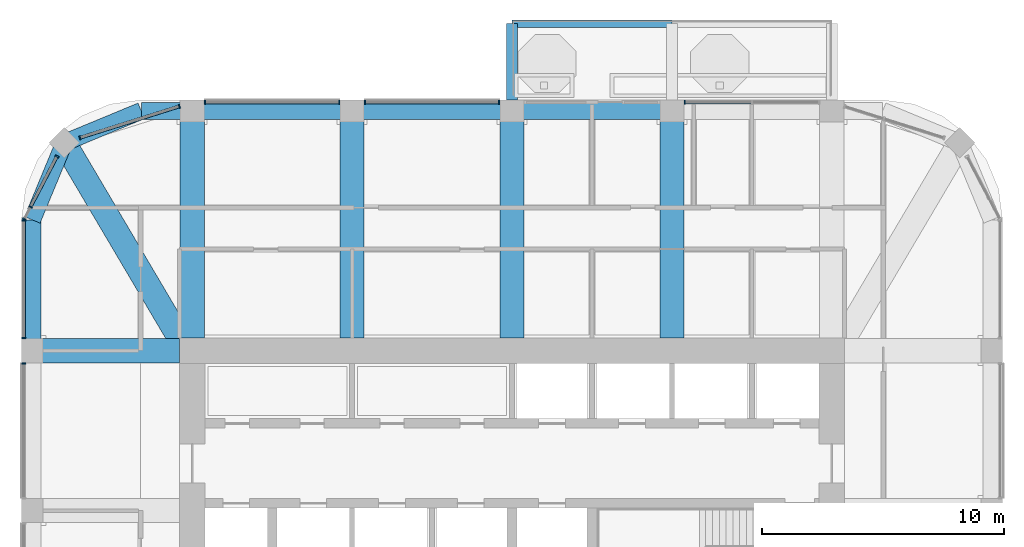
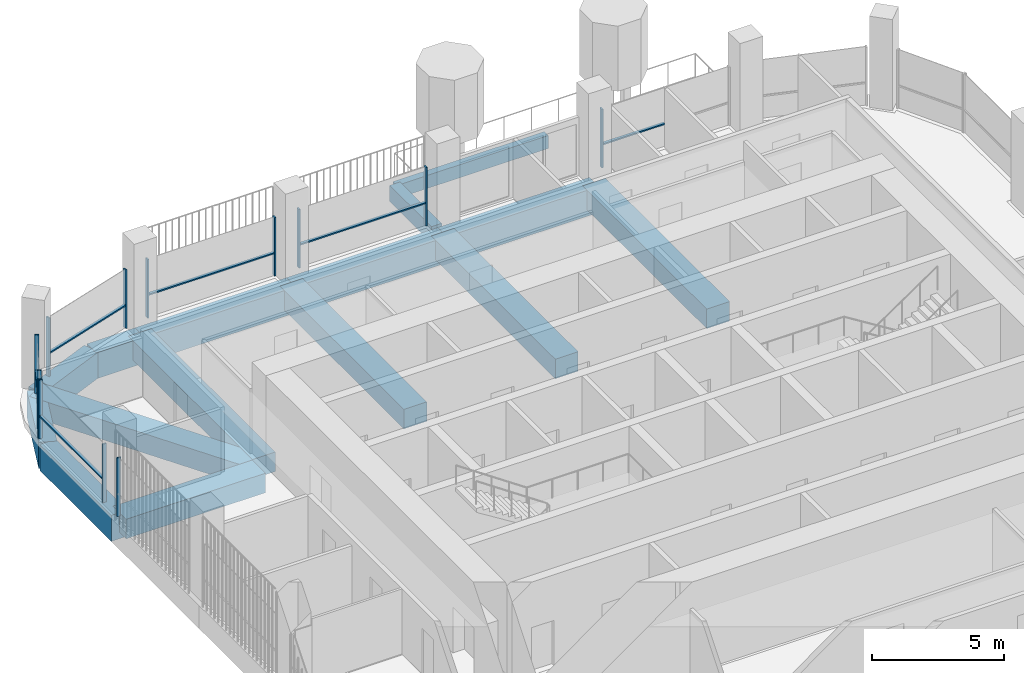
# One storey, part 6 of 21: 19 members, 15 beams, 7 elements without a shape of their own.
"""IFC4 building model written with IfcOpenShell, lengths in metres."""

from ifc_helpers import new_model, si_unit, direction, frame, origin, origin_2d, place, context, subcontext, project, spatial, rectangle, extrude, material, material_profile, profile_set, type_object, element, aggregate, save


model = new_model("IFC4")

# Units and contexts
model_context = context("Model", 3, precision=1e-05, world=origin(), true_north=direction((0.0, 1.0)))
body_context = subcontext(model_context, "Body", "Model", "MODEL_VIEW")
ifc_project = project(units=[si_unit("LENGTHUNIT", "METRE"), si_unit("AREAUNIT", "SQUARE_METRE"), si_unit("VOLUMEUNIT", "CUBIC_METRE"), si_unit("PLANEANGLEUNIT", "RADIAN"), si_unit("MASSUNIT", "GRAM", prefix="KILO")], contexts=[model_context])

# Site, building, storey
site_placement = place(None, origin())
site = spatial("IfcSite", under=ifc_project, at=site_placement, CompositionType="ELEMENT")
building_placement = place(site_placement, origin())
building = spatial("IfcBuilding", under=site, at=building_placement, Name="Cobogo Forest Laboratory Tower", CompositionType="ELEMENT")
storey_placement = place(building_placement, frame((0.0, 0.0, 283.800048828125)))
storey = spatial("IfcBuildingStorey", under=building, at=storey_placement, Name="L65", CompositionType="ELEMENT", Elevation=283.800048828125)

# Beams
ifc_material_1 = material(Name="Concrete HA-40 (C40/50)", Category="concrete")
ifc_material_profile_1 = material_profile(ifc_material_1, rectangle(XDim=0.449951171875, YDim=0.75, at=origin_2d()), Name="RC 450x750")
ifc_profile_set_1 = profile_set([ifc_material_profile_1], Name="Concrete HA-40 (C40/50)")
beam_type_1 = type_object("IfcBeamType", Name="Balcony cantilever beam 450x750", PredefinedType="BEAM", material=ifc_profile_set_1)
beam_1_placement = place(storey_placement, frame((26.39990234375, 43.35009765625, -0.625), z_axis=(0.0, 1.0, 0.0), x_axis=(-1.0, 0.0, 0.0)))
element("IfcBeam", 1, at=beam_1_placement, inside=storey, type_object=beam_type_1, Name="CB1 BAL-N1-C1 L65", PredefinedType="BEAM", context=body_context, shape_type="SweptSolid", body=[
    extrude(rectangle(XDim=0.449951171875, YDim=0.75, at=origin_2d()), origin(), (0.0, 0.0, 1.0), 3.14990234375),
])
ifc_material_profile_2 = material_profile(ifc_material_1, rectangle(XDim=0.300048828125, YDim=0.60009765625, at=origin_2d()), Name="RC 300x600")
ifc_profile_set_2 = profile_set([ifc_material_profile_2], Name="Concrete HA-40 (C40/50)")
beam_type_2 = type_object("IfcBeamType", Name="Balcony edge beam 300x600", PredefinedType="BEAM", material=ifc_profile_set_2)
beam_2_placement = place(storey_placement, frame((26.39990234375, 46.5, -0.550048828125), z_axis=(1.0, 0.0, 0.0), x_axis=(0.0, 1.0, 0.0)))
element("IfcBeam", 2, at=beam_2_placement, inside=storey, type_object=beam_type_2, Name="BB1 BAL-N1-T1 L65", PredefinedType="BEAM", context=body_context, shape_type="SweptSolid", body=[
    extrude(rectangle(XDim=0.300048828125, YDim=0.60009765625, at=origin_2d()), origin(), (0.0, 0.0, 1.0), 6.60009765625),
])

# Curtain wall, member
ifc_material_2 = material(Name="Aluminium curtain wall", Category="aluminium")
curtain_wall_type = type_object("IfcCurtainWallType", Name="CW-2 unitised curtain wall, solar control glazing, laboratory floors zones C and D", PredefinedType="USERDEFINED", material=ifc_material_2)
curtain_wall_1_placement = place(storey_placement, origin())
curtain_wall_1 = element("IfcCurtainWall", 3, at=curtain_wall_1_placement, inside=storey, type_object=curtain_wall_type, Name="Curtain wall 14 L65", ObjectType="UNITISED CURTAIN WALL", PredefinedType="USERDEFINED")
ifc_material_3 = material(Name="Aluminium mullion", Category="aluminium")
ifc_material_profile_3 = material_profile(ifc_material_3, rectangle(XDim=0.06005859375, YDim=0.159912109375, at=origin_2d()), Name="AL 60x160")
ifc_profile_set_3 = profile_set([ifc_material_profile_3], Name="Aluminium mullion")
member_type_1 = type_object("IfcMemberType", Name="MU-1 aluminium mullion 60x160", PredefinedType="MULLION", material=ifc_profile_set_3)
member_1_placement = place(storey_placement, frame((33.530029296875, 43.25, 0.0), z_axis=(0.0, 0.0, 1.0), x_axis=(-1.0, 0.0, 0.0)))
member_1 = element("IfcMember", 4, at=member_1_placement, type_object=member_type_1, Name="CW-2 mullion 3", PredefinedType="MULLION", context=body_context, shape_type="SweptSolid", body=[
    extrude(rectangle(XDim=0.06005859375, YDim=0.159912109375, at=origin_2d()), origin(), (0.0, 0.0, 1.0), 2.699951171875),
])

# Curtain wall, members
curtain_wall_2_placement = place(storey_placement, origin())
curtain_wall_2 = element("IfcCurtainWall", 5, at=curtain_wall_2_placement, inside=storey, type_object=curtain_wall_type, Name="Curtain wall 16 L65", ObjectType="UNITISED CURTAIN WALL", PredefinedType="USERDEFINED")
member_2_placement = place(storey_placement, frame((25.8701171875, 43.25, 0.0), z_axis=(0.0, 0.0, 1.0), x_axis=(-1.0, 0.0, 0.0)))
member_2 = element("IfcMember", 6, at=member_2_placement, type_object=member_type_1, Name="CW-2 mullion 1", PredefinedType="MULLION", context=body_context, shape_type="SweptSolid", body=[
    extrude(rectangle(XDim=0.06005859375, YDim=0.159912109375, at=origin_2d()), origin(), (0.0, 0.0, 1.0), 2.699951171875),
])
member_3_placement = place(storey_placement, frame((20.330078125, 43.25, 0.0), z_axis=(0.0, 0.0, 1.0), x_axis=(-1.0, 0.0, 0.0)))
member_3 = element("IfcMember", 7, at=member_3_placement, type_object=member_type_1, Name="CW-2 mullion 2", PredefinedType="MULLION", context=body_context, shape_type="SweptSolid", body=[
    extrude(rectangle(XDim=0.06005859375, YDim=0.159912109375, at=origin_2d()), origin(), (0.0, 0.0, 1.0), 2.699951171875),
])

curtain_wall_3_placement = place(storey_placement, origin())
curtain_wall_3 = element("IfcCurtainWall", 8, at=curtain_wall_3_placement, inside=storey, type_object=curtain_wall_type, Name="Curtain wall 17 L65", ObjectType="UNITISED CURTAIN WALL", PredefinedType="USERDEFINED")
member_4_placement = place(storey_placement, frame((19.27001953125, 43.25, 0.0), z_axis=(0.0, 0.0, 1.0), x_axis=(-1.0, 0.0, 0.0)))
member_4 = element("IfcMember", 9, at=member_4_placement, type_object=member_type_1, Name="CW-2 mullion 1", PredefinedType="MULLION", context=body_context, shape_type="SweptSolid", body=[
    extrude(rectangle(XDim=0.06005859375, YDim=0.159912109375, at=origin_2d()), origin(), (0.0, 0.0, 1.0), 2.699951171875),
])
member_5_placement = place(storey_placement, frame((13.72998046875, 43.25, 0.0), z_axis=(0.0, 0.0, 1.0), x_axis=(-1.0, 0.0, 0.0)))
member_5 = element("IfcMember", 10, at=member_5_placement, type_object=member_type_1, Name="CW-2 mullion 2", PredefinedType="MULLION", context=body_context, shape_type="SweptSolid", body=[
    extrude(rectangle(XDim=0.06005859375, YDim=0.159912109375, at=origin_2d()), origin(), (0.0, 0.0, 1.0), 2.699951171875),
])

curtain_wall_4_placement = place(storey_placement, origin())
curtain_wall_4 = element("IfcCurtainWall", 11, at=curtain_wall_4_placement, inside=storey, type_object=curtain_wall_type, Name="Curtain wall 18 L65", ObjectType="UNITISED CURTAIN WALL", PredefinedType="USERDEFINED")
member_6_placement = place(storey_placement, frame((12.67138671875, 43.0830078125, 0.0), z_axis=(0.0, 0.0, 1.0), x_axis=(-0.953581379409, -0.301135439371, 0.0)))
member_6 = element("IfcMember", 12, at=member_6_placement, type_object=member_type_1, Name="CW-2 mullion 1", PredefinedType="MULLION", context=body_context, shape_type="SweptSolid", body=[
    extrude(rectangle(XDim=0.06005859375, YDim=0.159912109375, at=origin_2d()), origin(), (0.0, 0.0, 1.0), 2.699951171875),
])
member_7_placement = place(storey_placement, frame((8.570068359375, 41.787841796875, 0.0), z_axis=(0.0, 0.0, 1.0), x_axis=(-0.953581379409, -0.301135439371, 0.0)))
member_7 = element("IfcMember", 13, at=member_7_placement, type_object=member_type_1, Name="CW-2 mullion 2", PredefinedType="MULLION", context=body_context, shape_type="SweptSolid", body=[
    extrude(rectangle(XDim=0.06005859375, YDim=0.159912109375, at=origin_2d()), origin(), (0.0, 0.0, 1.0), 2.699951171875),
])

curtain_wall_5_placement = place(storey_placement, origin())
curtain_wall_5 = element("IfcCurtainWall", 14, at=curtain_wall_5_placement, inside=storey, type_object=curtain_wall_type, Name="Curtain wall 19 L65", ObjectType="UNITISED CURTAIN WALL", PredefinedType="USERDEFINED")
member_8_placement = place(storey_placement, frame((7.6220703125, 41.017333984375, 0.0), z_axis=(0.0, 0.0, 1.0), x_axis=(-0.464283778337, -0.885686498245, 0.0)))
member_8 = element("IfcMember", 15, at=member_8_placement, type_object=member_type_1, Name="CW-2 mullion 1", PredefinedType="MULLION", context=body_context, shape_type="SweptSolid", body=[
    extrude(rectangle(XDim=0.06005859375, YDim=0.159912109375, at=origin_2d()), origin(), (0.0, 0.0, 1.0), 2.699951171875),
])
member_9_placement = place(storey_placement, frame((6.531494140625, 38.937255859375, 0.0), z_axis=(0.0, 0.0, 1.0), x_axis=(-0.464283778337, -0.885686498245, 0.0)))
member_9 = element("IfcMember", 16, at=member_9_placement, type_object=member_type_1, Name="CW-2 mullion 2", PredefinedType="MULLION", context=body_context, shape_type="SweptSolid", body=[
    extrude(rectangle(XDim=0.06005859375, YDim=0.159912109375, at=origin_2d()), origin(), (0.0, 0.0, 1.0), 2.699951171875),
])
member_10_placement = place(storey_placement, frame((6.263916015625, 38.426513671875, 0.0), z_axis=(0.0, 0.0, 1.0), x_axis=(-0.464283778337, -0.885686498245, 0.0)))
member_10 = element("IfcMember", 17, at=member_10_placement, type_object=member_type_1, Name="CW-2 mullion 3", PredefinedType="MULLION", context=body_context, shape_type="SweptSolid", body=[
    extrude(rectangle(XDim=0.06005859375, YDim=0.159912109375, at=origin_2d()), origin(), (0.0, 0.0, 1.0), 2.699951171875),
])

curtain_wall_6_placement = place(storey_placement, origin())
curtain_wall_6 = element("IfcCurtainWall", 18, at=curtain_wall_6_placement, inside=storey, type_object=curtain_wall_type, Name="Curtain wall 20 L65", ObjectType="UNITISED CURTAIN WALL", PredefinedType="USERDEFINED")
member_11_placement = place(storey_placement, frame((6.25, 38.3701171875, 0.0), z_axis=(0.0, 0.0, 1.0), x_axis=(0.0, -1.0, 0.0)))
member_11 = element("IfcMember", 19, at=member_11_placement, type_object=member_type_1, Name="CW-2 mullion 1", PredefinedType="MULLION", context=body_context, shape_type="SweptSolid", body=[
    extrude(rectangle(XDim=0.06005859375, YDim=0.159912109375, at=origin_2d()), origin(), (0.0, 0.0, 1.0), 2.699951171875),
])
member_12_placement = place(storey_placement, frame((6.25, 33.530029296875, 0.0), z_axis=(0.0, 0.0, 1.0), x_axis=(0.0, -1.0, 0.0)))
member_12 = element("IfcMember", 20, at=member_12_placement, type_object=member_type_1, Name="CW-2 mullion 2", PredefinedType="MULLION", context=body_context, shape_type="SweptSolid", body=[
    extrude(rectangle(XDim=0.06005859375, YDim=0.159912109375, at=origin_2d()), origin(), (0.0, 0.0, 1.0), 2.699951171875),
])

# Curtain wall, member
curtain_wall_7_placement = place(storey_placement, origin())
curtain_wall_7 = element("IfcCurtainWall", 21, at=curtain_wall_7_placement, inside=storey, type_object=curtain_wall_type, Name="Curtain wall 21 L65", ObjectType="UNITISED CURTAIN WALL", PredefinedType="USERDEFINED")
member_13_placement = place(storey_placement, frame((6.25, 32.469970703125, 0.0), z_axis=(0.0, 0.0, 1.0), x_axis=(0.0, -1.0, 0.0)))
member_13 = element("IfcMember", 22, at=member_13_placement, type_object=member_type_1, Name="CW-2 mullion 1", PredefinedType="MULLION", context=body_context, shape_type="SweptSolid", body=[
    extrude(rectangle(XDim=0.06005859375, YDim=0.159912109375, at=origin_2d()), origin(), (0.0, 0.0, 1.0), 2.699951171875),
])
aggregate(curtain_wall_7, [member_13])

# Beams
ifc_material_profile_4 = material_profile(ifc_material_1, rectangle(XDim=1.0, YDim=0.89990234375, at=origin_2d()), Name="RC 1000x900")
ifc_profile_set_4 = profile_set([ifc_material_profile_4], Name="Concrete HA-40 (C40/50)")
beam_type_3 = type_object("IfcBeamType", Name="Office floor wide beam 1000x900", PredefinedType="BEAM", material=ifc_profile_set_4)
for number, where, z_axis, x_axis, name in (
    (23, (13.199951171875, 33.52490234375, -0.75), (0.0, 1.0, 0.0), (-1.0, 0.0, 0.0), "RB2 R-3-N L65"),
    (24, (19.800048828125, 33.52490234375, -0.75), (0.0, 1.0, 0.0), (-1.0, 0.0, 0.0), "RB2 R-4-N L65"),
    (25, (26.39990234375, 33.52490234375, -0.75), (0.0, 1.0, 0.0), (-1.0, 0.0, 0.0), "RB2 R-5-N L65"),
    (26, (33.0, 33.52490234375, -0.75), (0.0, 1.0, 0.0), (-1.0, 0.0, 0.0), "RB2 R-6-N L65"),
):
    element("IfcBeam", number, at=place(storey_placement, frame(where, z_axis=z_axis, x_axis=x_axis)), inside=storey, type_object=beam_type_3, Name=name, PredefinedType="BEAM", context=body_context, shape_type="SweptSolid", body=[
        extrude(rectangle(XDim=1.0, YDim=0.89990234375, at=origin_2d()), origin(), (0.0, 0.0, 1.0), 9.375),
    ])
beam_3_placement = place(storey_placement, frame((12.675048828125, 33.0, -0.75), z_axis=(-1.0, 0.0, 0.0), x_axis=(0.0, -1.0, 0.0)))
element("IfcBeam", 27, at=beam_3_placement, inside=storey, type_object=beam_type_3, Name="RB2 R-F-W L65", PredefinedType="BEAM", context=body_context, shape_type="SweptSolid", body=[
    extrude(rectangle(XDim=1.0, YDim=0.89990234375, at=origin_2d()), origin(), (0.0, 0.0, 1.0), 6.074951171875),
])
beam_4_placement = place(storey_placement, frame((7.91796875, 41.58203125, -0.75), z_axis=(0.508416325908, -0.861111397875, 0.0), x_axis=(0.861111397875, 0.508416325908, 0.0)))
element("IfcBeam", 28, at=beam_4_placement, inside=storey, type_object=beam_type_3, Name="RB2 G-NW-D1 L65", PredefinedType="BEAM", context=body_context, shape_type="SweptSolid", body=[
    extrude(rectangle(XDim=1.0, YDim=0.89990234375, at=origin_2d()), origin(), (0.0, 0.0, 1.0), 9.356689453125),
])
ifc_material_profile_5 = material_profile(ifc_material_1, rectangle(XDim=0.699951171875, YDim=1.199951171875, at=origin_2d()), Name="RC 700x1200")
ifc_profile_set_5 = profile_set([ifc_material_profile_5], Name="Concrete HA-40 (C40/50)")
beam_type_4 = type_object("IfcBeamType", Name="Perimeter edge beam 700x1200", PredefinedType="BEAM", material=ifc_profile_set_5)
beam_5_placement = place(storey_placement, frame((13.199951171875, 42.89990234375, -0.900146484375), z_axis=(1.0, 0.0, 0.0), x_axis=(0.0, 1.0, 0.0)))
element("IfcBeam", 29, at=beam_5_placement, inside=storey, type_object=beam_type_4, Name="EB1 E-N1 L65", PredefinedType="BEAM", context=body_context, shape_type="SweptSolid", body=[
    extrude(rectangle(XDim=0.699951171875, YDim=1.199951171875, at=origin_2d()), origin(), (0.0, 0.0, 1.0), 6.60009765625),
])
beam_6_placement = place(storey_placement, frame((19.800048828125, 42.89990234375, -0.900146484375), z_axis=(1.0, 0.0, 0.0), x_axis=(0.0, 1.0, 0.0)))
element("IfcBeam", 30, at=beam_6_placement, inside=storey, type_object=beam_type_4, Name="EB1 E-N2 L65", PredefinedType="BEAM", context=body_context, shape_type="SweptSolid", body=[
    extrude(rectangle(XDim=0.699951171875, YDim=1.199951171875, at=origin_2d()), origin(), (0.0, 0.0, 1.0), 6.599853515625),
])
beam_7_placement = place(storey_placement, frame((26.39990234375, 42.89990234375, -0.900146484375), z_axis=(1.0, 0.0, 0.0), x_axis=(0.0, 1.0, 0.0)))
element("IfcBeam", 31, at=beam_7_placement, inside=storey, type_object=beam_type_4, Name="EB1 E-N3 L65", PredefinedType="BEAM", context=body_context, shape_type="SweptSolid", body=[
    extrude(rectangle(XDim=0.699951171875, YDim=1.199951171875, at=origin_2d()), origin(), (0.0, 0.0, 1.0), 6.60009765625),
])
beam_8_placement = place(storey_placement, frame((13.199951171875, 42.89990234375, -0.900146484375), z_axis=(-1.0, 0.0, 0.0), x_axis=(0.0, -1.0, 0.0)))
element("IfcBeam", 32, at=beam_8_placement, inside=storey, type_object=beam_type_4, Name="EB1 E-NWN1 L65", PredefinedType="BEAM", context=body_context, shape_type="SweptSolid", body=[
    extrude(rectangle(XDim=0.699951171875, YDim=1.199951171875, at=origin_2d()), origin(), (0.0, 0.0, 1.0), 2.099853515625),
])
beam_9_placement = place(storey_placement, frame((11.10009765625, 42.89990234375, -0.900146484375), z_axis=(-0.923901072997, -0.382631424892, 0.0), x_axis=(0.382631424892, -0.923901072997, 0.0)))
element("IfcBeam", 33, at=beam_9_placement, inside=storey, type_object=beam_type_4, Name="EB1 E-NWN2 L65", PredefinedType="BEAM", context=body_context, shape_type="SweptSolid", body=[
    extrude(rectangle(XDim=0.699951171875, YDim=1.199951171875, at=origin_2d()), origin(), (0.0, 0.0, 1.0), 3.4443359375),
])
beam_10_placement = place(storey_placement, frame((6.60009765625, 33.0, -0.900146484375), z_axis=(0.0, 1.0, 0.0), x_axis=(-1.0, 0.0, 0.0)))
element("IfcBeam", 34, at=beam_10_placement, inside=storey, type_object=beam_type_4, Name="EB1 E-NWW1 L65", PredefinedType="BEAM", context=body_context, shape_type="SweptSolid", body=[
    extrude(rectangle(XDim=0.699951171875, YDim=1.199951171875, at=origin_2d()), origin(), (0.0, 0.0, 1.0), 5.39990234375),
])
beam_11_placement = place(storey_placement, frame((6.60009765625, 38.39990234375, -0.900146484375), z_axis=(0.382631424892, 0.923901072997, 0.0), x_axis=(-0.923901072997, 0.382631424892, 0.0)))
element("IfcBeam", 35, at=beam_11_placement, inside=storey, type_object=beam_type_4, Name="EB1 E-NWW2 L65", PredefinedType="BEAM", context=body_context, shape_type="SweptSolid", body=[
    extrude(rectangle(XDim=0.699951171875, YDim=1.199951171875, at=origin_2d()), origin(), (0.0, 0.0, 1.0), 3.4443359375),
])

# Member
ifc_material_4 = material(Name="Aluminium transom", Category="aluminium")
ifc_material_profile_6 = material_profile(ifc_material_4, rectangle(XDim=0.1201171875, YDim=0.06005859375, at=origin_2d()), Name="AL 60x120")
ifc_profile_set_6 = profile_set([ifc_material_profile_6], Name="Aluminium transom")
member_type_2 = type_object("IfcMemberType", Name="TR-1 aluminium transom 60x120", PredefinedType="USERDEFINED", material=ifc_profile_set_6)
member_14_placement = place(storey_placement, frame((36.27001953125, 43.25, 1.050048828125), z_axis=(-1.0, 0.0, 0.0), x_axis=(0.0, -1.0, 0.0)))
member_14 = element("IfcMember", 36, at=member_14_placement, type_object=member_type_2, Name="CW-2 transom 2.1", ObjectType="TRANSOM", PredefinedType="USERDEFINED", context=body_context, shape_type="SweptSolid", body=[
    extrude(rectangle(XDim=0.1201171875, YDim=0.06005859375, at=origin_2d()), origin(), (0.0, 0.0, 1.0), 2.7099609375),
])

aggregate(curtain_wall_1, [member_1, member_14])

member_15_placement = place(storey_placement, frame((25.840087890625, 43.25, 1.050048828125), z_axis=(-1.0, 0.0, 0.0), x_axis=(0.0, -1.0, 0.0)))
member_15 = element("IfcMember", 37, at=member_15_placement, type_object=member_type_2, Name="CW-2 transom 1.1", ObjectType="TRANSOM", PredefinedType="USERDEFINED", context=body_context, shape_type="SweptSolid", body=[
    extrude(rectangle(XDim=0.1201171875, YDim=0.06005859375, at=origin_2d()), origin(), (0.0, 0.0, 1.0), 5.47998046875),
])

aggregate(curtain_wall_2, [member_2, member_3, member_15])

member_16_placement = place(storey_placement, frame((19.239990234375, 43.25, 1.050048828125), z_axis=(-1.0, 0.0, 0.0), x_axis=(0.0, -1.0, 0.0)))
member_16 = element("IfcMember", 38, at=member_16_placement, type_object=member_type_2, Name="CW-2 transom 1.1", ObjectType="TRANSOM", PredefinedType="USERDEFINED", context=body_context, shape_type="SweptSolid", body=[
    extrude(rectangle(XDim=0.1201171875, YDim=0.06005859375, at=origin_2d()), origin(), (0.0, 0.0, 1.0), 5.47998046875),
])

aggregate(curtain_wall_3, [member_4, member_5, member_16])

member_17_placement = place(storey_placement, frame((12.642822265625, 43.073974609375, 1.050048828125), z_axis=(-0.953583535148, -0.30112861288, 0.0), x_axis=(0.30112861288, -0.953583535148, 0.0)))
member_17 = element("IfcMember", 39, at=member_17_placement, type_object=member_type_2, Name="CW-2 transom 1.1", ObjectType="TRANSOM", PredefinedType="USERDEFINED", context=body_context, shape_type="SweptSolid", body=[
    extrude(rectangle(XDim=0.1201171875, YDim=0.06005859375, at=origin_2d()), origin(), (0.0, 0.0, 1.0), 4.240966796875),
])

aggregate(curtain_wall_4, [member_6, member_7, member_17])

member_18_placement = place(storey_placement, frame((7.608154296875, 40.99072265625, 1.050048828125), z_axis=(-0.464325829823, -0.885664453255, 0.0), x_axis=(0.885664453255, -0.464325829823, 0.0)))
member_18 = element("IfcMember", 40, at=member_18_placement, type_object=member_type_2, Name="CW-2 transom 1.1", ObjectType="TRANSOM", PredefinedType="USERDEFINED", context=body_context, shape_type="SweptSolid", body=[
    extrude(rectangle(XDim=0.1201171875, YDim=0.06005859375, at=origin_2d()), origin(), (0.0, 0.0, 1.0), 2.288818359375),
])

aggregate(curtain_wall_5, [member_8, member_9, member_10, member_18])

member_19_placement = place(storey_placement, frame((6.25, 38.340087890625, 1.050048828125), z_axis=(0.0, -1.0, 0.0), x_axis=(1.0, 0.0, 0.0)))
member_19 = element("IfcMember", 41, at=member_19_placement, type_object=member_type_2, Name="CW-2 transom 1.1", ObjectType="TRANSOM", PredefinedType="USERDEFINED", context=body_context, shape_type="SweptSolid", body=[
    extrude(rectangle(XDim=0.1201171875, YDim=0.06005859375, at=origin_2d()), origin(), (0.0, 0.0, 1.0), 4.780029296875),
])

aggregate(curtain_wall_6, [member_11, member_12, member_19])

save(model, "model.ifc")
